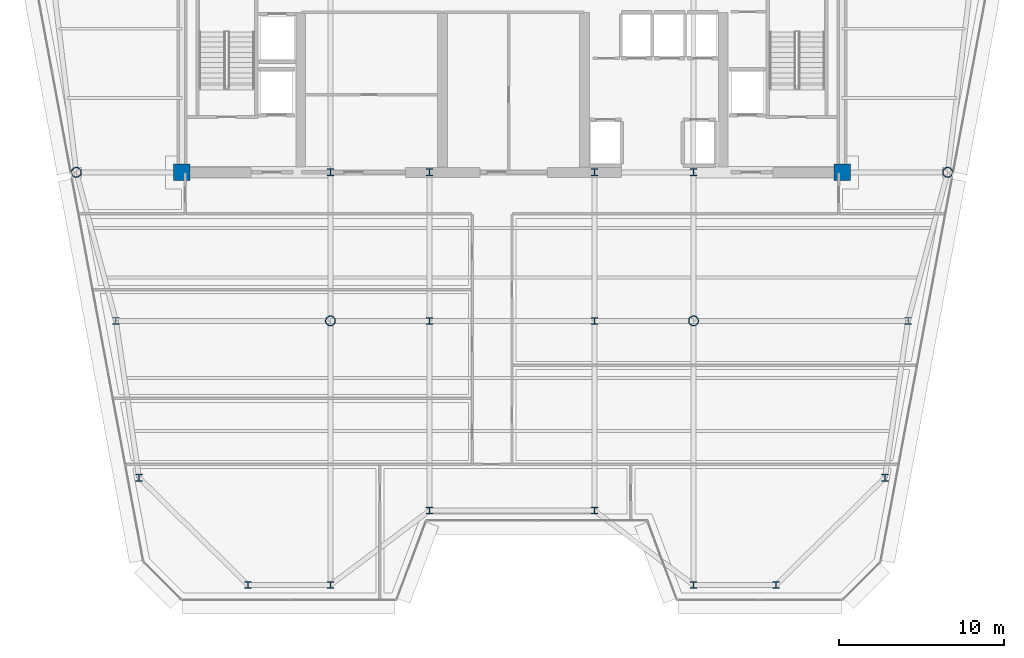
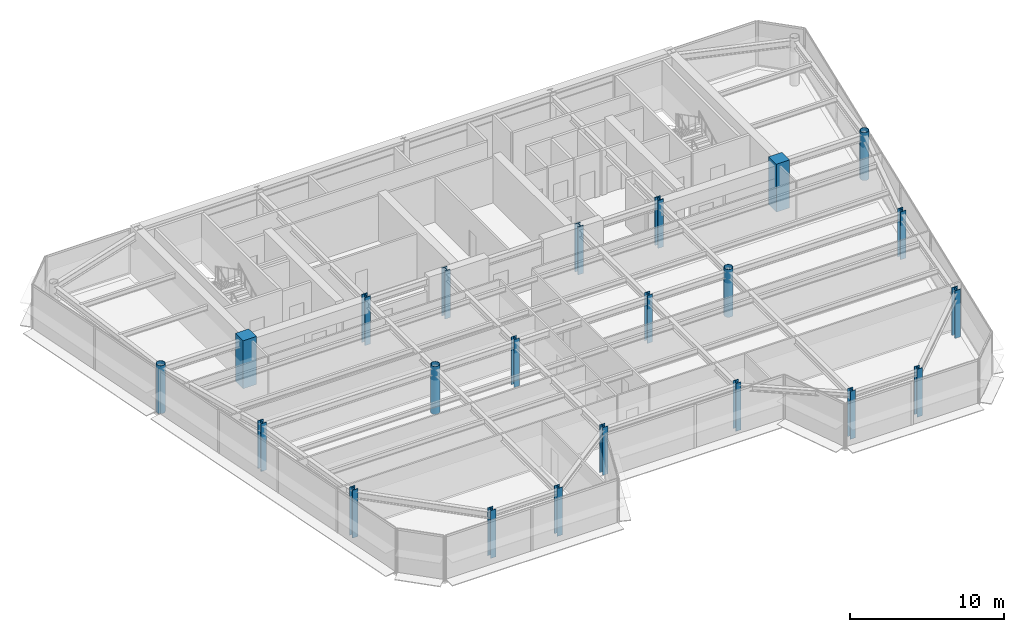
# One storey, part 1 of 18: 22 columns.
"""IFC4 building model written with IfcOpenShell, lengths in metres."""

from ifc_helpers import new_model, si_unit, direction, frame, origin, origin_2d, place, context, subcontext, project, spatial, rectangle, hollow_circle, i_section, extrude, source, transform, mapped, material, material_profile, profile_set, type_object, element, save


model = new_model("IFC4")

# Units and contexts
model_context = context("Model", 3, precision=1e-05, world=origin(), true_north=direction((0.0, 1.0)))
body_context = subcontext(model_context, "Body", "Model", "MODEL_VIEW")
ifc_project = project(units=[si_unit("LENGTHUNIT", "METRE"), si_unit("AREAUNIT", "SQUARE_METRE"), si_unit("VOLUMEUNIT", "CUBIC_METRE"), si_unit("PLANEANGLEUNIT", "RADIAN"), si_unit("MASSUNIT", "GRAM", prefix="KILO")], contexts=[model_context])

# Site, building, storey
site_placement = place(None, origin())
site = spatial("IfcSite", under=ifc_project, at=site_placement, CompositionType="ELEMENT")
building_placement = place(site_placement, origin())
building = spatial("IfcBuilding", under=site, at=building_placement, Name="Vaeldorn Concourse Tower", CompositionType="ELEMENT")
storey_placement = place(building_placement, frame((0.0, 0.0, 242.199951171875)))
storey = spatial("IfcBuildingStorey", under=building, at=storey_placement, Name="L62", CompositionType="ELEMENT", Elevation=242.199951171875)

# Columns
ifc_material_1 = material(Name="Concrete C50/60", Category="concrete")
ifc_material_profile_1 = material_profile(ifc_material_1, rectangle(XDim=1.0, YDim=1.0, at=origin_2d()), Name="RC 1000x1000")
ifc_profile_set_1 = profile_set([ifc_material_profile_1], Name="Concrete C50/60")
column_type_1 = type_object("IfcColumnType", Name="COL-RC1000", PredefinedType="COLUMN", material=ifc_profile_set_1)
shared_shape_1 = source(origin(), body_context, "Body", "SweptSolid", [
    extrude(rectangle(XDim=1.0, YDim=1.0, at=origin_2d()), origin(), (0.0, 0.0, 1.0), 3.800048828125),
])
for number, where, z_axis, x_axis, name in (
    (1, (14.0, 36.5, 0.0), (0.0, 0.0, 1.0), (1.0, 0.0, 0.0), "Column C-FC1 L62"),
    (2, (54.0, 36.5, 0.0), (0.0, 0.0, 1.0), (1.0, 0.0, 0.0), "Column C-FC6 L62"),
):
    element("IfcColumn", number, at=place(storey_placement, frame(where, z_axis=z_axis, x_axis=x_axis)), inside=storey, type_object=column_type_1, Name=name, PredefinedType="COLUMN", context=body_context, shape_type="MappedRepresentation", body=[
        mapped(shared_shape_1, transform((0.0, 0.0, 0.0), scale=1.0)),
    ])
ifc_material_2 = material(Name="Steel S460", Category="steel")
ifc_material_profile_2 = material_profile(ifc_material_2, i_section(OverallWidth=0.41796875, OverallDepth=0.455078125, WebThickness=0.0419921875, FlangeThickness=0.05810546875, FilletRadius=0.014892578125, at=origin_2d()), Name="HD 400x551")
ifc_profile_set_2 = profile_set([ifc_material_profile_2], Name="Steel S460")
column_type_2 = type_object("IfcColumnType", Name="COL-HD551", PredefinedType="COLUMN", material=ifc_profile_set_2)
shared_shape_2 = source(origin(), body_context, "Body", "SweptSolid", [
    extrude(i_section(OverallWidth=0.41796875, OverallDepth=0.455078125, WebThickness=0.0419921875, FlangeThickness=0.05810546875, FilletRadius=0.014892578125, at=origin_2d()), origin(), (0.0, 0.0, 1.0), 3.800048828125),
])
for number, where, z_axis, x_axis, name in (
    (3, (23.0, 36.5, 0.0), (0.0, 0.0, 1.0), (1.0, 0.0, 0.0), "Column C-FC2 L62"),
    (4, (29.0, 36.5, 0.0), (0.0, 0.0, 1.0), (1.0, 0.0, 0.0), "Column C-FC3 L62"),
    (5, (39.0, 36.5, 0.0), (0.0, 0.0, 1.0), (1.0, 0.0, 0.0), "Column C-FC4 L62"),
    (6, (45.0, 36.5, 0.0), (0.0, 0.0, 1.0), (1.0, 0.0, 0.0), "Column C-FC5 L62"),
):
    element("IfcColumn", number, at=place(storey_placement, frame(where, z_axis=z_axis, x_axis=x_axis)), inside=storey, type_object=column_type_2, Name=name, PredefinedType="COLUMN", context=body_context, shape_type="MappedRepresentation", body=[
        mapped(shared_shape_2, transform((0.0, 0.0, 0.0), scale=1.0)),
    ])
ifc_material_3 = material(Name="Steel S355", Category="steel")
ifc_material_profile_3 = material_profile(ifc_material_3, hollow_circle(Radius=0.304931640625, WallThickness=0.030029296875, at=origin_2d()), Name="CHS 610x30")
ifc_profile_set_3 = profile_set([ifc_material_profile_3], Name="Steel S355")
column_type_3 = type_object("IfcColumnType", Name="COL-CHS610", PredefinedType="COLUMN", material=ifc_profile_set_3)
shared_shape_3 = source(origin(), body_context, "Body", "SweptSolid", [
    extrude(hollow_circle(Radius=0.304931640625, WallThickness=0.030029296875, at=origin_2d()), origin(), (0.0, 0.0, 1.0), 3.800048828125),
])
for number, where, z_axis, x_axis, name in (
    (7, (7.60009765625, 36.5, 0.0), (0.0, 0.0, 1.0), (1.0, 0.0, 0.0), "Column C-NW2 L62"),
    (8, (60.39990234375, 36.5, 0.0), (0.0, 0.0, 1.0), (1.0, 0.0, 0.0), "Column C-NE2 L62"),
    (9, (23.0, 27.5, 0.0), (0.0, 0.0, 1.0), (1.0, 0.0, 0.0), "Column C-TW1 L62"),
    (10, (45.0, 27.5, 0.0), (0.0, 0.0, 1.0), (1.0, 0.0, 0.0), "Column C-TW4 L62"),
):
    element("IfcColumn", number, at=place(storey_placement, frame(where, z_axis=z_axis, x_axis=x_axis)), inside=storey, type_object=column_type_3, Name=name, PredefinedType="COLUMN", context=body_context, shape_type="MappedRepresentation", body=[
        mapped(shared_shape_3, transform((0.0, 0.0, 0.0), scale=1.0)),
    ])
ifc_material_profile_4 = material_profile(ifc_material_3, i_section(OverallWidth=0.412109375, OverallDepth=0.43505859375, WebThickness=0.035888671875, FlangeThickness=0.050048828125, FilletRadius=0.014892578125, at=origin_2d()), Name="HD 400x463")
ifc_profile_set_4 = profile_set([ifc_material_profile_4], Name="Steel S355")
column_type_4 = type_object("IfcColumnType", Name="COL-HD463F", PredefinedType="COLUMN", material=ifc_profile_set_4)
shared_shape_4 = source(origin(), body_context, "Body", "SweptSolid", [
    extrude(i_section(OverallWidth=0.412109375, OverallDepth=0.43505859375, WebThickness=0.035888671875, FlangeThickness=0.050048828125, FilletRadius=0.014892578125, at=origin_2d()), origin(), (0.0, 0.0, 1.0), 3.800048828125),
])
for number, where, z_axis, x_axis, name in (
    (11, (10.0, 27.5, 0.0), (0.0, 0.0, 1.0), (1.0, 0.0, 0.0), "Column C-FLW1 L62"),
    (12, (11.39990234375, 18.0, 0.0), (0.0, 0.0, 1.0), (1.0, 0.0, 0.0), "Column C-FLW2 L62"),
    (13, (58.0, 27.5, 0.0), (0.0, 0.0, 1.0), (1.0, 0.0, 0.0), "Column C-FLE1 L62"),
    (14, (56.60009765625, 18.0, 0.0), (0.0, 0.0, 1.0), (1.0, 0.0, 0.0), "Column C-FLE2 L62"),
):
    element("IfcColumn", number, at=place(storey_placement, frame(where, z_axis=z_axis, x_axis=x_axis)), inside=storey, type_object=column_type_4, Name=name, PredefinedType="COLUMN", context=body_context, shape_type="MappedRepresentation", body=[
        mapped(shared_shape_4, transform((0.0, 0.0, 0.0), scale=1.0)),
    ])
ifc_material_profile_5 = material_profile(ifc_material_3, i_section(OverallWidth=0.39794921875, OverallDepth=0.386962890625, WebThickness=0.0205078125, FlangeThickness=0.029052734375, FilletRadius=0.014892578125, at=origin_2d()), Name="HD 400x262")
ifc_profile_set_5 = profile_set([ifc_material_profile_5], Name="Steel S355")
column_type_5 = type_object("IfcColumnType", Name="COL-HD262T", PredefinedType="COLUMN", material=ifc_profile_set_5)
shared_shape_5 = source(origin(), body_context, "Body", "SweptSolid", [
    extrude(i_section(OverallWidth=0.39794921875, OverallDepth=0.386962890625, WebThickness=0.0205078125, FlangeThickness=0.029052734375, FilletRadius=0.014892578125, at=origin_2d()), origin(), (0.0, 0.0, 1.0), 3.800048828125),
])
for number, where, z_axis, x_axis, name in (
    (15, (29.0, 27.5, 0.0), (0.0, 0.0, 1.0), (1.0, 0.0, 0.0), "Column C-TW2 L62"),
    (16, (39.0, 27.5, 0.0), (0.0, 0.0, 1.0), (1.0, 0.0, 0.0), "Column C-TW3 L62"),
    (17, (18.0, 11.5, 0.0), (0.0, 0.0, 1.0), (1.0, 0.0, 0.0), "Column C-SF1 L62"),
    (18, (23.0, 11.5, 0.0), (0.0, 0.0, 1.0), (1.0, 0.0, 0.0), "Column C-SF2 L62"),
    (19, (29.0, 16.0, 0.0), (0.0, 0.0, 1.0), (1.0, 0.0, 0.0), "Column C-SF3 L62"),
    (20, (39.0, 16.0, 0.0), (0.0, 0.0, 1.0), (1.0, 0.0, 0.0), "Column C-SF4 L62"),
    (21, (45.0, 11.5, 0.0), (0.0, 0.0, 1.0), (1.0, 0.0, 0.0), "Column C-SF5 L62"),
    (22, (50.0, 11.5, 0.0), (0.0, 0.0, 1.0), (1.0, 0.0, 0.0), "Column C-SF6 L62"),
):
    element("IfcColumn", number, at=place(storey_placement, frame(where, z_axis=z_axis, x_axis=x_axis)), inside=storey, type_object=column_type_5, Name=name, PredefinedType="COLUMN", context=body_context, shape_type="MappedRepresentation", body=[
        mapped(shared_shape_5, transform((0.0, 0.0, 0.0), scale=1.0)),
    ])

save(model, "model.ifc")
